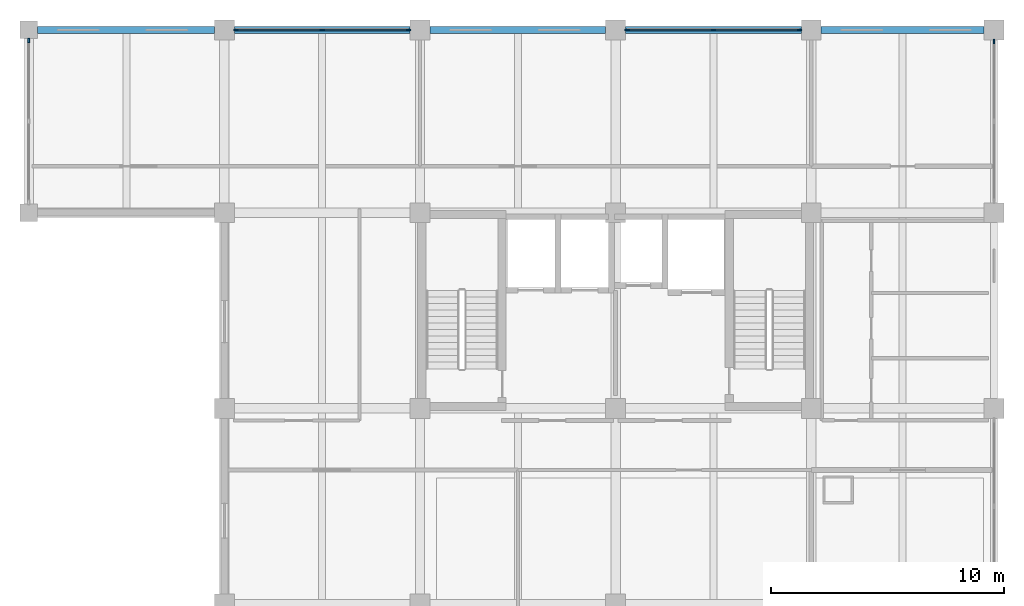
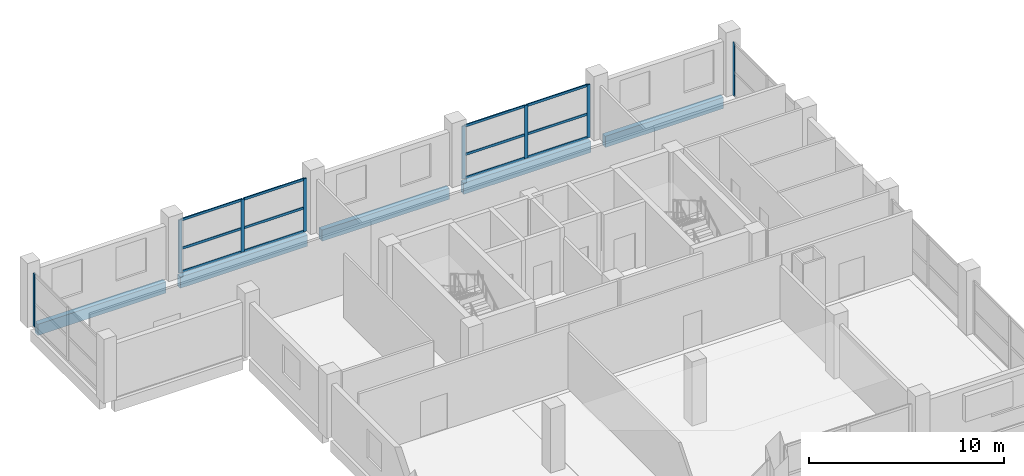
# One storey, part 5 of 9: 20 members, 5 beams, 4 elements without a shape of their own.
"""IFC4 building model written with IfcOpenShell, lengths in metres."""

from ifc_helpers import new_model, si_unit, direction, frame, origin, origin_2d, place, context, subcontext, project, spatial, rectangle, extrude, material, material_profile, profile_set, type_object, element, aggregate, save


model = new_model("IFC4")

# Units and contexts
model_context = context("Model", 3, precision=1e-05, world=origin(), true_north=direction((0.0, 1.0)))
body_context = subcontext(model_context, "Body", "Model", "MODEL_VIEW")
ifc_project = project(units=[si_unit("LENGTHUNIT", "METRE"), si_unit("AREAUNIT", "SQUARE_METRE"), si_unit("VOLUMEUNIT", "CUBIC_METRE"), si_unit("PLANEANGLEUNIT", "RADIAN"), si_unit("MASSUNIT", "GRAM", prefix="KILO")], contexts=[model_context])

# Site, building, storey
site_placement = place(None, origin())
site = spatial("IfcSite", under=ifc_project, at=site_placement, CompositionType="ELEMENT")
building_placement = place(site_placement, origin())
building = spatial("IfcBuilding", under=site, at=building_placement, Name="Brinegate Botanical Conservatory", CompositionType="ELEMENT")
storey_placement = place(building_placement, frame((0.0, 0.0, 31.800048828125)))
storey = spatial("IfcBuildingStorey", under=building, at=storey_placement, Name="L08", CompositionType="ELEMENT", Elevation=31.800048828125)

# Beams
ifc_material_1 = material(Name="Concrete C40/50", Category="concrete")
ifc_material_profile_1 = material_profile(ifc_material_1, rectangle(XDim=0.300048828125, YDim=0.699951171875, at=origin_2d()), Name="RC SPN 300x700")
ifc_profile_set_1 = profile_set([ifc_material_profile_1], Name="Concrete C40/50")
beam_type = type_object("IfcBeamType", Name="Beam_SP-02", PredefinedType="SPANDREL", material=ifc_profile_set_1)
beam_1_placement = place(storey_placement, frame((122.375, 111.449951171875, -0.530029296875), z_axis=(1.0, 0.0, 0.0), x_axis=(0.0, 1.0, 0.0)))
element("IfcBeam", 1, at=beam_1_placement, inside=storey, type_object=beam_type, Name="Beam SP-02 L08 P:16-17", PredefinedType="SPANDREL", context=body_context, shape_type="SweptSolid", body=[
    extrude(rectangle(XDim=0.300048828125, YDim=0.699951171875, at=origin_2d()), origin(), (0.0, 0.0, 1.0), 7.60009765625),
])
beam_2_placement = place(storey_placement, frame((130.824951171875, 111.449951171875, -0.530029296875), z_axis=(1.0, 0.0, 0.0), x_axis=(0.0, 1.0, 0.0)))
element("IfcBeam", 2, at=beam_2_placement, inside=storey, type_object=beam_type, Name="Beam SP-02 L08 P:17-18", PredefinedType="SPANDREL", context=body_context, shape_type="SweptSolid", body=[
    extrude(rectangle(XDim=0.300048828125, YDim=0.699951171875, at=origin_2d()), origin(), (0.0, 0.0, 1.0), 7.550048828125),
])
beam_3_placement = place(storey_placement, frame((139.22509765625, 111.449951171875, -0.530029296875), z_axis=(1.0, 0.0, 0.0), x_axis=(0.0, 1.0, 0.0)))
element("IfcBeam", 3, at=beam_3_placement, inside=storey, type_object=beam_type, Name="Beam SP-02 L08 P:18-19", PredefinedType="SPANDREL", context=body_context, shape_type="SweptSolid", body=[
    extrude(rectangle(XDim=0.300048828125, YDim=0.699951171875, at=origin_2d()), origin(), (0.0, 0.0, 1.0), 7.5498046875),
])
beam_4_placement = place(storey_placement, frame((147.625, 111.449951171875, -0.530029296875), z_axis=(1.0, 0.0, 0.0), x_axis=(0.0, 1.0, 0.0)))
element("IfcBeam", 4, at=beam_4_placement, inside=storey, type_object=beam_type, Name="Beam SP-02 L08 P:19-20", PredefinedType="SPANDREL", context=body_context, shape_type="SweptSolid", body=[
    extrude(rectangle(XDim=0.300048828125, YDim=0.699951171875, at=origin_2d()), origin(), (0.0, 0.0, 1.0), 7.550048828125),
])
beam_5_placement = place(storey_placement, frame((156.02490234375, 111.449951171875, -0.530029296875), z_axis=(1.0, 0.0, 0.0), x_axis=(0.0, 1.0, 0.0)))
element("IfcBeam", 5, at=beam_5_placement, inside=storey, type_object=beam_type, Name="Beam SP-02 L08 P:20-21", PredefinedType="SPANDREL", context=body_context, shape_type="SweptSolid", body=[
    extrude(rectangle(XDim=0.300048828125, YDim=0.699951171875, at=origin_2d()), origin(), (0.0, 0.0, 1.0), 7.0),
])

# Curtain wall, members
ifc_material_2 = material(Name="Thermally broken anodised aluminium AW-6063-T6", Category="aluminium")
curtain_wall_type = type_object("IfcCurtainWallType", Name="CW_CW-TW1", PredefinedType="USERDEFINED", material=ifc_material_2)
curtain_wall_1_placement = place(storey_placement, origin())
curtain_wall_1 = element("IfcCurtainWall", 6, at=curtain_wall_1_placement, inside=storey, type_object=curtain_wall_type, Name="Research lab north curtain wall L08.2", ObjectType="FACTORY CURTAIN WALL", PredefinedType="USERDEFINED")
ifc_material_profile_2 = material_profile(ifc_material_2, rectangle(XDim=0.070068359375, YDim=0.199951171875, at=origin_2d()), Name="ALUM MULLION 70x200")
ifc_profile_set_2 = profile_set([ifc_material_profile_2], Name="Thermally broken anodised aluminium AW-6063-T6")
member_type_1 = type_object("IfcMemberType", Name="Member_ML-03", PredefinedType="MULLION", material=ifc_profile_set_2)
member_1_placement = place(storey_placement, frame((130.89990234375, 111.449951171875, 0.0), z_axis=(0.0, 0.0, 1.0), x_axis=(0.0, 1.0, 0.0)))
member_1 = element("IfcMember", 7, at=member_1_placement, type_object=member_type_1, Name="CW-TW1 mullion 1", PredefinedType="MULLION", context=body_context, shape_type="SweptSolid", body=[
    extrude(rectangle(XDim=0.070068359375, YDim=0.199951171875, at=origin_2d()), origin(), (0.0, 0.0, 1.0), 3.320068359375),
])
member_2_placement = place(storey_placement, frame((134.60009765625, 111.449951171875, 0.0), z_axis=(0.0, 0.0, 1.0), x_axis=(0.0, 1.0, 0.0)))
member_2 = element("IfcMember", 8, at=member_2_placement, type_object=member_type_1, Name="CW-TW1 mullion 2", PredefinedType="MULLION", context=body_context, shape_type="SweptSolid", body=[
    extrude(rectangle(XDim=0.070068359375, YDim=0.199951171875, at=origin_2d()), origin(), (0.0, 0.0, 1.0), 3.320068359375),
])
member_3_placement = place(storey_placement, frame((138.300048828125, 111.449951171875, 0.0), z_axis=(0.0, 0.0, 1.0), x_axis=(0.0, 1.0, 0.0)))
member_3 = element("IfcMember", 9, at=member_3_placement, type_object=member_type_1, Name="CW-TW1 mullion 3", PredefinedType="MULLION", context=body_context, shape_type="SweptSolid", body=[
    extrude(rectangle(XDim=0.070068359375, YDim=0.199951171875, at=origin_2d()), origin(), (0.0, 0.0, 1.0), 3.320068359375),
])

curtain_wall_2_placement = place(storey_placement, origin())
curtain_wall_2 = element("IfcCurtainWall", 10, at=curtain_wall_2_placement, inside=storey, type_object=curtain_wall_type, Name="Research lab north curtain wall L08.4", ObjectType="FACTORY CURTAIN WALL", PredefinedType="USERDEFINED")
member_4_placement = place(storey_placement, frame((147.699951171875, 111.449951171875, 0.0), z_axis=(0.0, 0.0, 1.0), x_axis=(0.0, 1.0, 0.0)))
member_4 = element("IfcMember", 11, at=member_4_placement, type_object=member_type_1, Name="CW-TW1 mullion 1", PredefinedType="MULLION", context=body_context, shape_type="SweptSolid", body=[
    extrude(rectangle(XDim=0.070068359375, YDim=0.199951171875, at=origin_2d()), origin(), (0.0, 0.0, 1.0), 3.320068359375),
])
member_5_placement = place(storey_placement, frame((151.39990234375, 111.449951171875, 0.0), z_axis=(0.0, 0.0, 1.0), x_axis=(0.0, 1.0, 0.0)))
member_5 = element("IfcMember", 12, at=member_5_placement, type_object=member_type_1, Name="CW-TW1 mullion 2", PredefinedType="MULLION", context=body_context, shape_type="SweptSolid", body=[
    extrude(rectangle(XDim=0.070068359375, YDim=0.199951171875, at=origin_2d()), origin(), (0.0, 0.0, 1.0), 3.320068359375),
])
member_6_placement = place(storey_placement, frame((155.10009765625, 111.449951171875, 0.0), z_axis=(0.0, 0.0, 1.0), x_axis=(0.0, 1.0, 0.0)))
member_6 = element("IfcMember", 13, at=member_6_placement, type_object=member_type_1, Name="CW-TW1 mullion 3", PredefinedType="MULLION", context=body_context, shape_type="SweptSolid", body=[
    extrude(rectangle(XDim=0.070068359375, YDim=0.199951171875, at=origin_2d()), origin(), (0.0, 0.0, 1.0), 3.320068359375),
])

# Curtain wall, member
curtain_wall_3_placement = place(storey_placement, origin())
curtain_wall_3 = element("IfcCurtainWall", 14, at=curtain_wall_3_placement, inside=storey, type_object=curtain_wall_type, Name="Tower east curtain wall L08.4", ObjectType="FACTORY CURTAIN WALL", PredefinedType="USERDEFINED")
member_7_placement = place(storey_placement, frame((163.449951171875, 110.949951171875, 0.0), z_axis=(0.0, 0.0, 1.0), x_axis=(1.0, 0.0, 0.0)))
member_7 = element("IfcMember", 15, at=member_7_placement, type_object=member_type_1, Name="CW-TW1 mullion 1", PredefinedType="MULLION", context=body_context, shape_type="SweptSolid", body=[
    extrude(rectangle(XDim=0.070068359375, YDim=0.199951171875, at=origin_2d()), origin(), (0.0, 0.0, 1.0), 3.320068359375),
])
aggregate(curtain_wall_3, [member_7])

curtain_wall_4_placement = place(storey_placement, origin())
curtain_wall_4 = element("IfcCurtainWall", 16, at=curtain_wall_4_placement, inside=storey, type_object=curtain_wall_type, Name="Tower north-west curtain wall L08", ObjectType="FACTORY CURTAIN WALL", PredefinedType="USERDEFINED")
member_8_placement = place(storey_placement, frame((122.0, 111.0, 0.0), z_axis=(0.0, 0.0, 1.0), x_axis=(-1.0, 0.0, 0.0)))
member_8 = element("IfcMember", 17, at=member_8_placement, type_object=member_type_1, Name="CW-TW1 mullion 3", PredefinedType="MULLION", context=body_context, shape_type="SweptSolid", body=[
    extrude(rectangle(XDim=0.070068359375, YDim=0.199951171875, at=origin_2d()), origin(), (0.0, 0.0, 1.0), 3.320068359375),
])
aggregate(curtain_wall_4, [member_8])

# Member
ifc_material_profile_3 = material_profile(ifc_material_2, rectangle(XDim=0.070068359375, YDim=0.14990234375, at=origin_2d()), Name="ALUM TRANSOM 70x150")
ifc_profile_set_3 = profile_set([ifc_material_profile_3], Name="Thermally broken anodised aluminium AW-6063-T6")
member_type_2 = type_object("IfcMemberType", Name="Member_TR-03", PredefinedType="USERDEFINED", material=ifc_profile_set_3)
member_9_placement = place(storey_placement, frame((130.93505859375, 111.449951171875, 0.034912109375), z_axis=(1.0, 0.0, 0.0), x_axis=(0.0, 1.0, 0.0)))
member_9 = element("IfcMember", 18, at=member_9_placement, type_object=member_type_2, Name="CW-TW1 transom 1.1", ObjectType="TRANSOM", PredefinedType="USERDEFINED", context=body_context, shape_type="SweptSolid", body=[
    extrude(rectangle(XDim=0.070068359375, YDim=0.14990234375, at=origin_2d()), origin(), (0.0, 0.0, 1.0), 3.6298828125),
])

member_10_placement = place(storey_placement, frame((130.93505859375, 111.449951171875, 1.493896484375), z_axis=(1.0, 0.0, 0.0), x_axis=(0.0, 1.0, 0.0)))
member_10 = element("IfcMember", 19, at=member_10_placement, type_object=member_type_2, Name="CW-TW1 transom 1.2", ObjectType="TRANSOM", PredefinedType="USERDEFINED", context=body_context, shape_type="SweptSolid", body=[
    extrude(rectangle(XDim=0.070068359375, YDim=0.14990234375, at=origin_2d()), origin(), (0.0, 0.0, 1.0), 3.6298828125),
])

member_11_placement = place(storey_placement, frame((130.93505859375, 111.449951171875, 3.284912109375), z_axis=(1.0, 0.0, 0.0), x_axis=(0.0, 1.0, 0.0)))
member_11 = element("IfcMember", 20, at=member_11_placement, type_object=member_type_2, Name="CW-TW1 transom 1.3", ObjectType="TRANSOM", PredefinedType="USERDEFINED", context=body_context, shape_type="SweptSolid", body=[
    extrude(rectangle(XDim=0.070068359375, YDim=0.14990234375, at=origin_2d()), origin(), (0.0, 0.0, 1.0), 3.6298828125),
])

member_12_placement = place(storey_placement, frame((134.635009765625, 111.449951171875, 0.034912109375), z_axis=(1.0, 0.0, 0.0), x_axis=(0.0, 1.0, 0.0)))
member_12 = element("IfcMember", 21, at=member_12_placement, type_object=member_type_2, Name="CW-TW1 transom 2.1", ObjectType="TRANSOM", PredefinedType="USERDEFINED", context=body_context, shape_type="SweptSolid", body=[
    extrude(rectangle(XDim=0.070068359375, YDim=0.14990234375, at=origin_2d()), origin(), (0.0, 0.0, 1.0), 3.6298828125),
])

member_13_placement = place(storey_placement, frame((134.635009765625, 111.449951171875, 1.493896484375), z_axis=(1.0, 0.0, 0.0), x_axis=(0.0, 1.0, 0.0)))
member_13 = element("IfcMember", 22, at=member_13_placement, type_object=member_type_2, Name="CW-TW1 transom 2.2", ObjectType="TRANSOM", PredefinedType="USERDEFINED", context=body_context, shape_type="SweptSolid", body=[
    extrude(rectangle(XDim=0.070068359375, YDim=0.14990234375, at=origin_2d()), origin(), (0.0, 0.0, 1.0), 3.6298828125),
])

member_14_placement = place(storey_placement, frame((134.635009765625, 111.449951171875, 3.284912109375), z_axis=(1.0, 0.0, 0.0), x_axis=(0.0, 1.0, 0.0)))
member_14 = element("IfcMember", 23, at=member_14_placement, type_object=member_type_2, Name="CW-TW1 transom 2.3", ObjectType="TRANSOM", PredefinedType="USERDEFINED", context=body_context, shape_type="SweptSolid", body=[
    extrude(rectangle(XDim=0.070068359375, YDim=0.14990234375, at=origin_2d()), origin(), (0.0, 0.0, 1.0), 3.6298828125),
])

aggregate(curtain_wall_1, [member_1, member_2, member_3, member_9, member_10, member_11, member_12, member_13, member_14])

member_15_placement = place(storey_placement, frame((147.735107421875, 111.449951171875, 0.034912109375), z_axis=(1.0, 0.0, 0.0), x_axis=(0.0, 1.0, 0.0)))
member_15 = element("IfcMember", 24, at=member_15_placement, type_object=member_type_2, Name="CW-TW1 transom 1.1", ObjectType="TRANSOM", PredefinedType="USERDEFINED", context=body_context, shape_type="SweptSolid", body=[
    extrude(rectangle(XDim=0.070068359375, YDim=0.14990234375, at=origin_2d()), origin(), (0.0, 0.0, 1.0), 3.6298828125),
])

member_16_placement = place(storey_placement, frame((147.735107421875, 111.449951171875, 1.493896484375), z_axis=(1.0, 0.0, 0.0), x_axis=(0.0, 1.0, 0.0)))
member_16 = element("IfcMember", 25, at=member_16_placement, type_object=member_type_2, Name="CW-TW1 transom 1.2", ObjectType="TRANSOM", PredefinedType="USERDEFINED", context=body_context, shape_type="SweptSolid", body=[
    extrude(rectangle(XDim=0.070068359375, YDim=0.14990234375, at=origin_2d()), origin(), (0.0, 0.0, 1.0), 3.6298828125),
])

member_17_placement = place(storey_placement, frame((147.735107421875, 111.449951171875, 3.284912109375), z_axis=(1.0, 0.0, 0.0), x_axis=(0.0, 1.0, 0.0)))
member_17 = element("IfcMember", 26, at=member_17_placement, type_object=member_type_2, Name="CW-TW1 transom 1.3", ObjectType="TRANSOM", PredefinedType="USERDEFINED", context=body_context, shape_type="SweptSolid", body=[
    extrude(rectangle(XDim=0.070068359375, YDim=0.14990234375, at=origin_2d()), origin(), (0.0, 0.0, 1.0), 3.6298828125),
])

member_18_placement = place(storey_placement, frame((151.43505859375, 111.449951171875, 0.034912109375), z_axis=(1.0, 0.0, 0.0), x_axis=(0.0, 1.0, 0.0)))
member_18 = element("IfcMember", 27, at=member_18_placement, type_object=member_type_2, Name="CW-TW1 transom 2.1", ObjectType="TRANSOM", PredefinedType="USERDEFINED", context=body_context, shape_type="SweptSolid", body=[
    extrude(rectangle(XDim=0.070068359375, YDim=0.14990234375, at=origin_2d()), origin(), (0.0, 0.0, 1.0), 3.6298828125),
])

member_19_placement = place(storey_placement, frame((151.43505859375, 111.449951171875, 1.493896484375), z_axis=(1.0, 0.0, 0.0), x_axis=(0.0, 1.0, 0.0)))
member_19 = element("IfcMember", 28, at=member_19_placement, type_object=member_type_2, Name="CW-TW1 transom 2.2", ObjectType="TRANSOM", PredefinedType="USERDEFINED", context=body_context, shape_type="SweptSolid", body=[
    extrude(rectangle(XDim=0.070068359375, YDim=0.14990234375, at=origin_2d()), origin(), (0.0, 0.0, 1.0), 3.6298828125),
])

member_20_placement = place(storey_placement, frame((151.43505859375, 111.449951171875, 3.284912109375), z_axis=(1.0, 0.0, 0.0), x_axis=(0.0, 1.0, 0.0)))
member_20 = element("IfcMember", 29, at=member_20_placement, type_object=member_type_2, Name="CW-TW1 transom 2.3", ObjectType="TRANSOM", PredefinedType="USERDEFINED", context=body_context, shape_type="SweptSolid", body=[
    extrude(rectangle(XDim=0.070068359375, YDim=0.14990234375, at=origin_2d()), origin(), (0.0, 0.0, 1.0), 3.6298828125),
])

aggregate(curtain_wall_2, [member_4, member_5, member_6, member_15, member_16, member_17, member_18, member_19, member_20])

save(model, "model.ifc")
